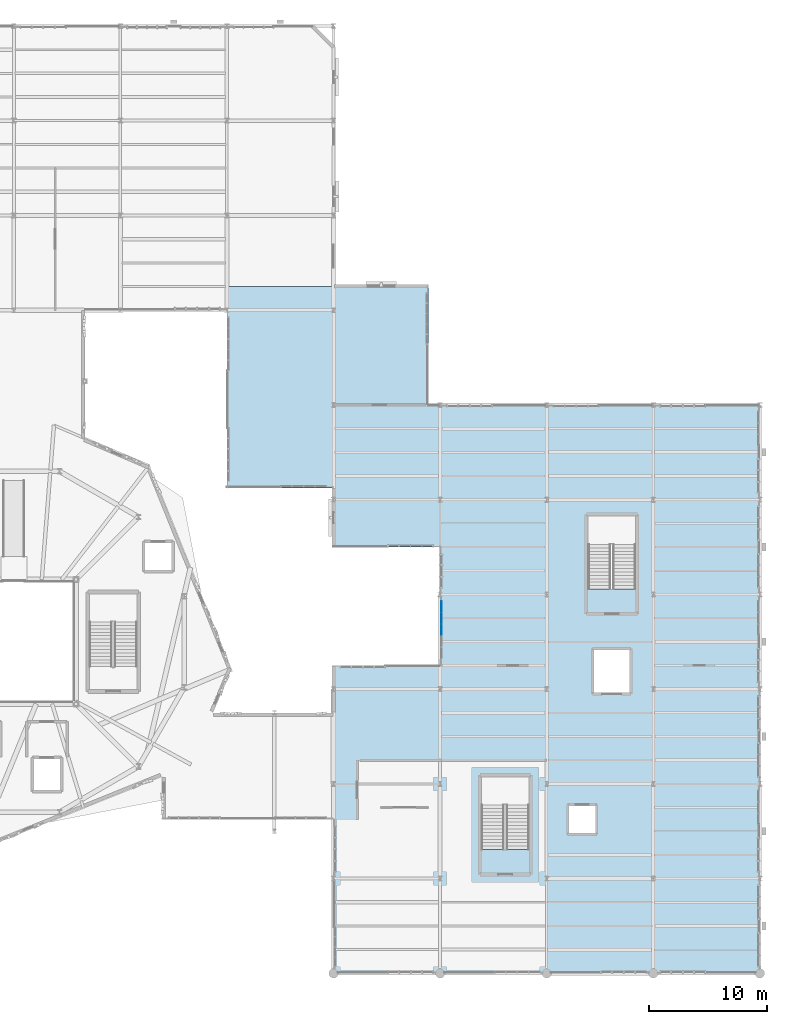
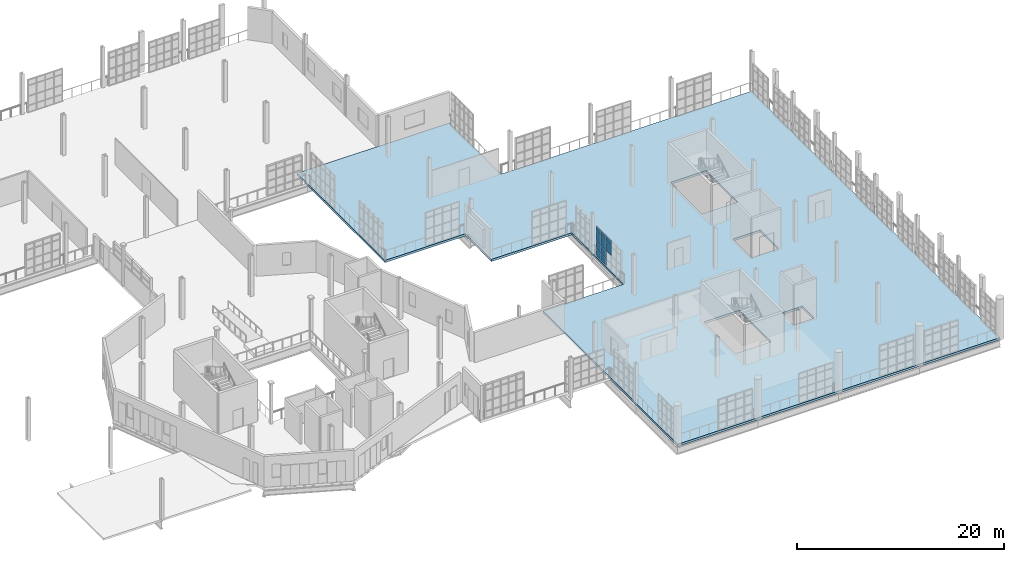
# One storey, part 83 of 122: 10 plates, 1 slab, 1 element without a shape of its own.
"""IFC4 building model written with IfcOpenShell, lengths in metres."""

from ifc_helpers import new_model, si_unit, direction, frame, origin, origin_2d, place, context, subcontext, project, spatial, polyline, rectangle, outline, extrude, material, layer, layer_set, type_object, element, aggregate, save


model = new_model("IFC4")

# Units and contexts
model_context = context("Model", 3, precision=1e-05, world=origin(), true_north=direction((0.0, 1.0)))
body_context = subcontext(model_context, "Body", "Model", "MODEL_VIEW")
ifc_project = project(units=[si_unit("LENGTHUNIT", "METRE"), si_unit("AREAUNIT", "SQUARE_METRE"), si_unit("VOLUMEUNIT", "CUBIC_METRE"), si_unit("PLANEANGLEUNIT", "RADIAN"), si_unit("MASSUNIT", "GRAM", prefix="KILO"), si_unit("THERMODYNAMICTEMPERATUREUNIT", "KELVIN"), si_unit("POWERUNIT", "WATT")], contexts=[model_context])

# Site, building, storey
site_placement = place(None, origin())
site = spatial("IfcSite", under=ifc_project, at=site_placement, CompositionType="ELEMENT")
building_placement = place(site_placement, origin())
building = spatial("IfcBuilding", under=site, at=building_placement, Name="Zelmaris Science Centre", CompositionType="ELEMENT")
storey_placement = place(building_placement, frame((0.0, 0.0, 10.800048828125)))
storey = spatial("IfcBuildingStorey", under=building, at=storey_placement, Name="L02", CompositionType="ELEMENT", Elevation=10.800048828125)

# Curtain wall, plates
ifc_material_1 = material(Name="Anodised architectural aluminium 6063-T6", Category="aluminium")
ifc_layer_1 = layer(ifc_material_1, 0.219970703125, Name="Anodised architectural aluminium 6063-T6")
ifc_layer_set_1 = layer_set([ifc_layer_1], Name="Anodised architectural aluminium 6063-T6")
curtain_wall_type = type_object("IfcCurtainWallType", Name="Curtain Wall CW-04", PredefinedType="USERDEFINED", material=ifc_layer_set_1)
curtain_wall_placement = place(storey_placement, origin())
curtain_wall = element("IfcCurtainWall", 1, at=curtain_wall_placement, inside=storey, type_object=curtain_wall_type, Name="L02 Unitised curtain wall 264", ObjectType="GLAZED CURTAIN WALL", PredefinedType="USERDEFINED")
ifc_material_2 = material(Name="Laminated hurricane-rated low-E insulated glazing", Category="glass")
ifc_layer_2 = layer(ifc_material_2, 0.02392578125, Name="Laminated hurricane-rated low-E insulated glazing")
ifc_layer_set_2 = layer_set([ifc_layer_2], Name="Laminated hurricane-rated low-E insulated glazing")
plate_type = type_object("IfcPlateType", Name="Curtain Glazing Panel CWP-4 24mm", PredefinedType="CURTAIN_PANEL", material=ifc_layer_set_2)
plate_1_placement = place(storey_placement, frame((117.11279296875, 37.01318359375, 1.807373046875), z_axis=(0.0, 0.0, 1.0), x_axis=(0.001021804788, 0.999999477957, 0.0)))
plate_1 = element("IfcPlate", 2, at=plate_1_placement, type_object=plate_type, Name="CW-04 panel 3.3", PredefinedType="CURTAIN_PANEL", context=body_context, shape_type="SweptSolid", body=[
    extrude(rectangle(XDim=0.9267578125, YDim=0.02392578125, at=origin_2d()), origin(), (0.0, 0.0, 1.0), 1.04443359375),
])
plate_2_placement = place(storey_placement, frame((117.11279296875, 37.01318359375, 2.90380859375), z_axis=(0.0, 0.0, 1.0), x_axis=(0.001021804788, 0.999999477957, 0.0)))
plate_2 = element("IfcPlate", 3, at=plate_2_placement, type_object=plate_type, Name="CW-04 panel 3.4", PredefinedType="CURTAIN_PANEL", context=body_context, shape_type="SweptSolid", body=[
    extrude(rectangle(XDim=0.9267578125, YDim=0.02392578125, at=origin_2d()), origin(), (0.0, 0.0, 1.0), 0.6220703125),
])
plate_3_placement = place(storey_placement, frame((117.114013671875, 37.991943359375, 0.036865234375), z_axis=(0.0, 0.0, 1.0), x_axis=(0.001021804788, 0.999999477957, 0.0)))
plate_3 = element("IfcPlate", 4, at=plate_3_placement, type_object=plate_type, Name="CW-04 panel 4.1", PredefinedType="CURTAIN_PANEL", context=body_context, shape_type="SweptSolid", body=[
    extrude(rectangle(XDim=0.9267578125, YDim=0.02392578125, at=origin_2d()), origin(), (0.0, 0.0, 1.0), 0.77197265625),
])
plate_4_placement = place(storey_placement, frame((117.114013671875, 37.991943359375, 0.86083984375), z_axis=(0.0, 0.0, 1.0), x_axis=(0.001021804788, 0.999999477957, 0.0)))
plate_4 = element("IfcPlate", 5, at=plate_4_placement, type_object=plate_type, Name="CW-04 panel 4.2", PredefinedType="CURTAIN_PANEL", context=body_context, shape_type="SweptSolid", body=[
    extrude(rectangle(XDim=0.9267578125, YDim=0.02392578125, at=origin_2d()), origin(), (0.0, 0.0, 1.0), 0.89453125),
])
plate_5_placement = place(storey_placement, frame((117.114013671875, 37.991943359375, 1.807373046875), z_axis=(0.0, 0.0, 1.0), x_axis=(0.001021804788, 0.999999477957, 0.0)))
plate_5 = element("IfcPlate", 6, at=plate_5_placement, type_object=plate_type, Name="CW-04 panel 4.3", PredefinedType="CURTAIN_PANEL", context=body_context, shape_type="SweptSolid", body=[
    extrude(rectangle(XDim=0.9267578125, YDim=0.02392578125, at=origin_2d()), origin(), (0.0, 0.0, 1.0), 1.04443359375),
])
plate_6_placement = place(storey_placement, frame((117.114013671875, 37.991943359375, 2.90380859375), z_axis=(0.0, 0.0, 1.0), x_axis=(0.001021804788, 0.999999477957, 0.0)))
plate_6 = element("IfcPlate", 7, at=plate_6_placement, type_object=plate_type, Name="CW-04 panel 4.4", PredefinedType="CURTAIN_PANEL", context=body_context, shape_type="SweptSolid", body=[
    extrude(rectangle(XDim=0.9267578125, YDim=0.02392578125, at=origin_2d()), origin(), (0.0, 0.0, 1.0), 0.6220703125),
])
plate_7_placement = place(storey_placement, frame((117.114990234375, 38.95751953125, 0.036865234375), z_axis=(0.0, 0.0, 1.0), x_axis=(0.001021804788, 0.999999477957, 0.0)))
plate_7 = element("IfcPlate", 8, at=plate_7_placement, type_object=plate_type, Name="CW-04 panel 5.1", PredefinedType="CURTAIN_PANEL", context=body_context, shape_type="SweptSolid", body=[
    extrude(rectangle(XDim=0.900634765625, YDim=0.02392578125, at=origin_2d()), origin(), (0.0, 0.0, 1.0), 0.77197265625),
])
plate_8_placement = place(storey_placement, frame((117.114990234375, 38.95751953125, 0.86083984375), z_axis=(0.0, 0.0, 1.0), x_axis=(0.001021804788, 0.999999477957, 0.0)))
plate_8 = element("IfcPlate", 9, at=plate_8_placement, type_object=plate_type, Name="CW-04 panel 5.2", PredefinedType="CURTAIN_PANEL", context=body_context, shape_type="SweptSolid", body=[
    extrude(rectangle(XDim=0.900634765625, YDim=0.02392578125, at=origin_2d()), origin(), (0.0, 0.0, 1.0), 0.89453125),
])
plate_9_placement = place(storey_placement, frame((117.114990234375, 38.95751953125, 1.807373046875), z_axis=(0.0, 0.0, 1.0), x_axis=(0.001021804788, 0.999999477957, 0.0)))
plate_9 = element("IfcPlate", 10, at=plate_9_placement, type_object=plate_type, Name="CW-04 panel 5.3", PredefinedType="CURTAIN_PANEL", context=body_context, shape_type="SweptSolid", body=[
    extrude(rectangle(XDim=0.900634765625, YDim=0.02392578125, at=origin_2d()), origin(), (0.0, 0.0, 1.0), 1.04443359375),
])
plate_10_placement = place(storey_placement, frame((117.114990234375, 38.95751953125, 2.90380859375), z_axis=(0.0, 0.0, 1.0), x_axis=(0.001021804788, 0.999999477957, 0.0)))
plate_10 = element("IfcPlate", 11, at=plate_10_placement, type_object=plate_type, Name="CW-04 panel 5.4", PredefinedType="CURTAIN_PANEL", context=body_context, shape_type="SweptSolid", body=[
    extrude(rectangle(XDim=0.900634765625, YDim=0.02392578125, at=origin_2d()), origin(), (0.0, 0.0, 1.0), 0.6220703125),
])
aggregate(curtain_wall, [plate_1, plate_2, plate_3, plate_4, plate_5, plate_6, plate_7, plate_8, plate_9, plate_10])

# Slab
ifc_material_3 = material(Name="Concrete C35/45", Category="concrete")
ifc_layer_3 = layer(ifc_material_3, 0.260009765625, Name="Concrete C35/45")
ifc_layer_set_3 = layer_set([ifc_layer_3], Name="Concrete C35/45")
slab_type = type_object("IfcSlabType", Name="Slab SL-FL260 260mm", PredefinedType="FLOOR", material=ifc_layer_set_3)
slab_placement = place(storey_placement, frame((0.0, 0.0, -0.260009765625)))
element("IfcSlab", 12, at=slab_placement, inside=storey, type_object=slab_type, Name="L02 Dry laboratories slab", PredefinedType="FLOOR", context=body_context, shape_type="SweptSolid", body=[
    extrude(outline(polyline([(144.0, 8.0), (108.0, 8.0), (108.0, 34.0), (117.0, 34.0), (117.0, 44.0), (108.0, 44.0), (108.0, 49.0), (99.0, 49.0), (99.0, 66.0), (116.0, 66.0), (116.0, 56.0), (144.0, 56.0), (144.0, 8.0)]), holes=[polyline([(124.5, 18.469970703125), (124.5, 24.60009765625), (120.5, 24.60009765625), (120.5, 18.469970703125), (124.5, 18.469970703125)]), polyline([(133.5, 40.469970703125), (133.5, 46.60009765625), (129.5, 46.60009765625), (129.5, 40.469970703125), (133.5, 40.469970703125)]), polyline([(127.89990234375, 19.85009765625), (130.10009765625, 19.85009765625), (130.10009765625, 22.14990234375), (127.89990234375, 22.14990234375), (127.89990234375, 19.85009765625)]), polyline([(130.0, 31.699951171875), (133.0, 31.699951171875), (133.0, 35.300048828125), (130.0, 35.300048828125), (130.0, 31.699951171875)])]), origin(), (0.0, 0.0, 1.0), 0.260009765625),
])

save(model, "model.ifc")
